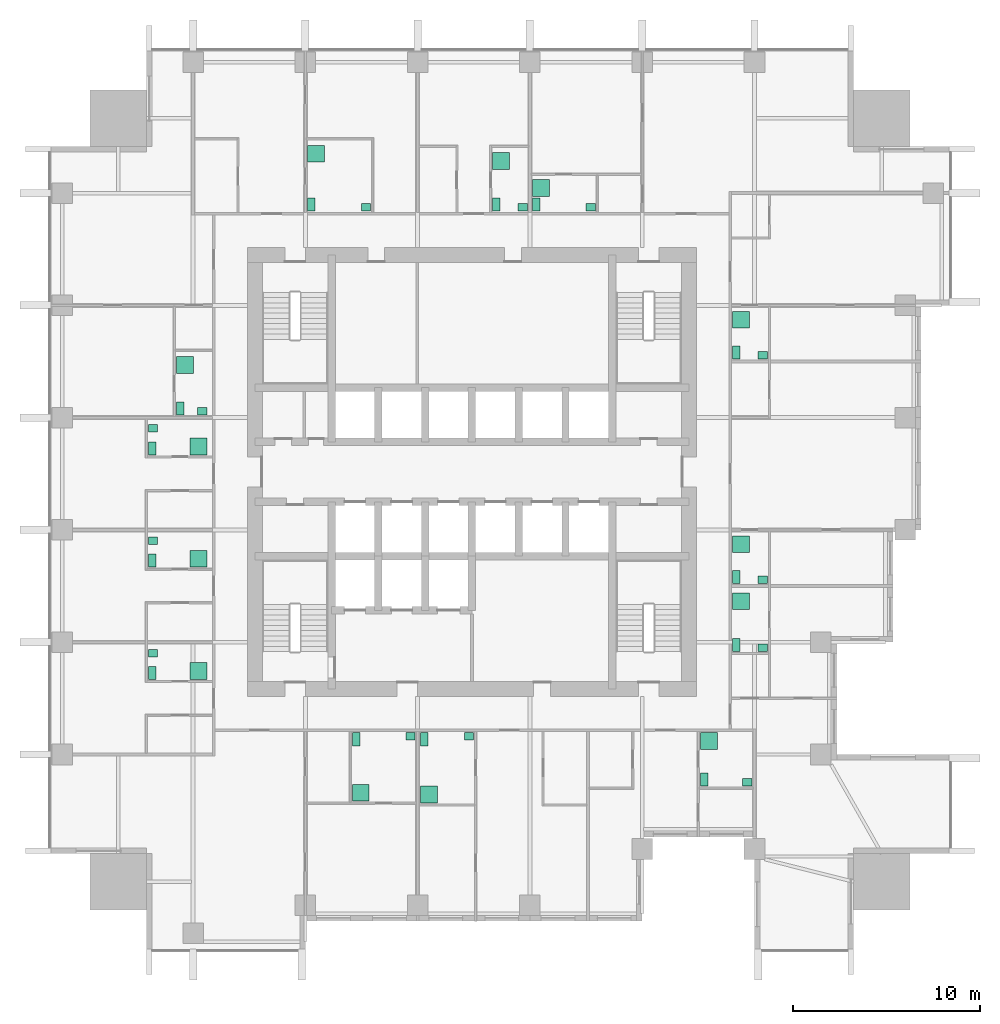
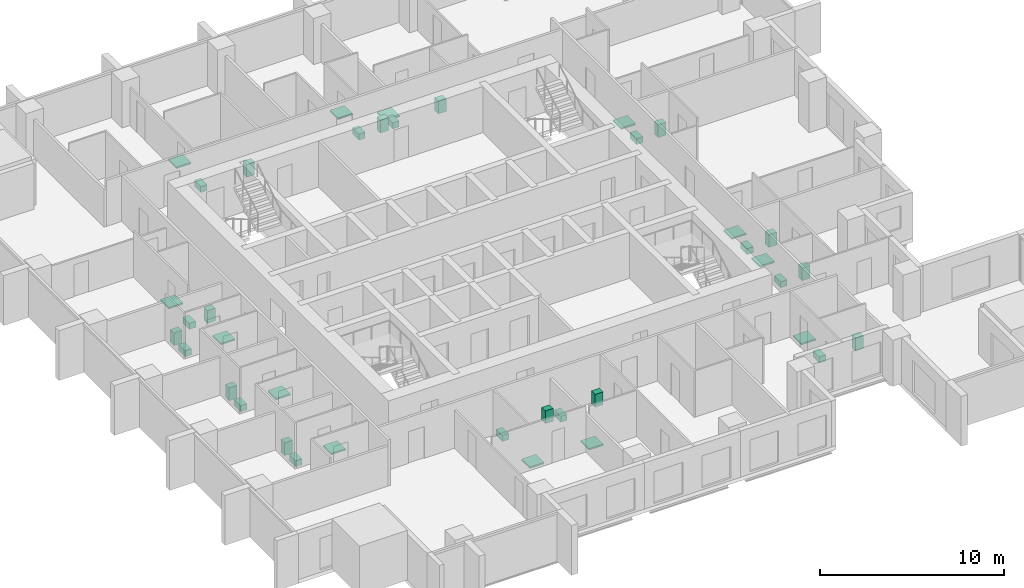
# One storey, part 10 of 10: 39 sanitary terminals.
"""IFC4 building model written with IfcOpenShell, lengths in metres."""

import ifcopenshell
import ifcopenshell.guid

model = None  # the IFC model being written
_history = None  # IfcOwnerHistory: only IFC2X3 demands one
_inside = {}  # id of a spatial element -> (the spatial element, [elements in it])
_under = {}  # id of a project, library or spatial element -> (it, [spatial elements below it])
_declared = {}  # id of a project -> (the project, [libraries it declares])
_typed = {}  # id of a type object -> (the type object, [elements of that type])
_made_of = {}  # id of a material, layer set ... -> (it, [elements and type objects made of it])


def new_model(schema):
    """Start an empty IFC model of exactly this schema.

    Asked for "IFC4X3", IfcOpenShell would pick the latest addendum, in which some entities
    have other attributes; the version numbers below select the first issue.
    IFC2X3 requires an IfcOwnerHistory on every rooted entity: one is made here for all.
    """
    global model, _history
    if schema == "IFC4X3":
        model = ifcopenshell.file(schema_version=(4, 3, 0, 0))
    else:
        model = ifcopenshell.file(schema=schema)
    _inside.clear()
    _under.clear()
    _declared.clear()
    _typed.clear()
    _made_of.clear()
    _history = None
    if model.schema == "IFC2X3":
        org = make("IfcOrganization", Name="unknown")
        user = make(
            "IfcPersonAndOrganization",
            ThePerson=make("IfcPerson", FamilyName="unknown"),
            TheOrganization=org,
        )
        app = make(
            "IfcApplication",
            ApplicationDeveloper=org,
            Version="unknown",
            ApplicationFullName="unknown",
            ApplicationIdentifier="unknown",
        )
        _history = make(
            "IfcOwnerHistory",
            OwningUser=user,
            OwningApplication=app,
            ChangeAction="ADDED",
            CreationDate=0,
        )
    return model


def make(cls, **values):
    """One entity of the class cls with the attributes given. An attribute that is None is left unset."""
    return model.create_entity(
        cls, **{name: value for name, value in values.items() if value is not None}
    )


def rooted(cls, **values):
    """An entity with a GlobalId (a new one), such as an element, a storey or a relation."""
    return make(cls, GlobalId=ifcopenshell.guid.new(), OwnerHistory=_history, **values)


def si_unit(unit_type, name, prefix=None):
    """IfcSIUnit, for example si_unit("LENGTHUNIT", "METRE", prefix="MILLI")."""
    return make("IfcSIUnit", UnitType=unit_type, Prefix=prefix, Name=name)


def assignment(units):
    """IfcUnitAssignment: the units of a project."""
    return None if units is None else make("IfcUnitAssignment", Units=units)


def point(xyz):
    """IfcCartesianPoint."""
    return None if xyz is None else make("IfcCartesianPoint", Coordinates=xyz)


def direction(xyz):
    """IfcDirection."""
    return None if xyz is None else make("IfcDirection", DirectionRatios=xyz)


def frame(location, z_axis=None, x_axis=None):
    """IfcAxis2Placement3D, a coordinate frame: its origin and axes. An axis left out is left unset."""
    return make(
        "IfcAxis2Placement3D",
        Location=point(location),
        Axis=direction(z_axis),
        RefDirection=direction(x_axis),
    )


def frame_2d(location, x_axis=None):
    """IfcAxis2Placement2D, a coordinate frame in the plane: its origin and x axis."""
    return make(
        "IfcAxis2Placement2D", Location=point(location), RefDirection=direction(x_axis)
    )


def origin():
    """The frame at (0, 0, 0) with its axes left unset."""
    return frame((0.0, 0.0, 0.0))


def origin_2d():
    """The frame at (0, 0) in the plane with its x axis left unset."""
    return frame_2d((0.0, 0.0))


def place(relative_to, where):
    """IfcLocalPlacement: puts the frame where relative to a parent placement (None: the world)."""
    return make(
        "IfcLocalPlacement", PlacementRelTo=relative_to, RelativePlacement=where
    )


def context(
    kind, dimensions, precision=None, world=None, true_north=None, identifier=None
):
    """IfcGeometricRepresentationContext, for example the 3D "Model" context."""
    return make(
        "IfcGeometricRepresentationContext",
        ContextIdentifier=identifier,
        ContextType=kind,
        CoordinateSpaceDimension=dimensions,
        Precision=precision,
        WorldCoordinateSystem=world,
        TrueNorth=true_north,
    )


def subcontext(parent, identifier, kind, view, scale=None):
    """IfcGeometricRepresentationSubContext, for example "Body" below "Model"."""
    return make(
        "IfcGeometricRepresentationSubContext",
        ContextIdentifier=identifier,
        ContextType=kind,
        ParentContext=parent,
        TargetScale=scale,
        TargetView=view,
    )


def project(units=None, contexts=None):
    """IfcProject with its units and contexts."""
    return rooted(
        "IfcProject",
        Name="project",
        RepresentationContexts=contexts,
        UnitsInContext=assignment(units),
    )


def spatial(cls, under=None, at=None, **own):
    """A site, building, storey or space (cls), placed at a placement, below another one or the project."""
    s = rooted(cls, ObjectPlacement=at, **own)
    if under is not None:
        _under.setdefault(under.id(), (under, []))[1].append(s)
    return s


def profile(cls, at=None, kind="AREA", **sizes):
    """A parametric profile (cls). Its sizes go by their IFC names, for example OverallWidth=200.0."""
    return make(cls, ProfileType=kind, Position=at, **sizes)


def rectangle(**sizes):
    """IfcRectangleProfileDef."""
    return profile("IfcRectangleProfileDef", **sizes)


def extrude(swept, where, along, depth):
    """IfcExtrudedAreaSolid: the profile swept, set in the frame where, extruded along a direction by depth."""
    return make(
        "IfcExtrudedAreaSolid",
        SweptArea=swept,
        Position=where,
        ExtrudedDirection=direction(along),
        Depth=depth,
    )


def shape(context_of_items, identifier, shape_type, items):
    """IfcShapeRepresentation: the items that make up one representation, for example the "Body"."""
    return make(
        "IfcShapeRepresentation",
        ContextOfItems=context_of_items,
        RepresentationIdentifier=identifier,
        RepresentationType=shape_type,
        Items=items,
    )


def made_of(thing, what):
    """Note that an element or type object is made of a material, layer set ...; save() writes the relation."""
    if what is not None:
        _made_of.setdefault(what.id(), (what, []))[1].append(thing)
    return thing


def element(
    cls,
    number,
    at=None,
    inside=None,
    cuts=None,
    type_object=None,
    material=None,
    context=None,
    identifier="Body",
    shape_type=None,
    held_by="IfcProductDefinitionShape",
    body=None,
    shapes=None,
    **own,
):
    """One element of the class cls, such as IfcWall. Its Tag is "e" and its number.

    at: its placement. inside: the storey or other place that contains it. cuts: it is an
    opening in that element (IfcRelVoidsElement). A single representation is given by context,
    identifier, shape_type and body (its items); several are given by shapes. held_by: the class
    of the entity that holds the representations. save() writes the other relations.
    """
    e = rooted(cls, Tag="e%d" % number, ObjectPlacement=at, **own)
    if body is not None:
        shapes = [shape(context, identifier, shape_type, body)]
    if shapes is not None:
        e.Representation = make(held_by, Representations=shapes)
    if inside is not None:
        _inside.setdefault(inside.id(), (inside, []))[1].append(e)
    if cuts is not None:
        rooted(
            "IfcRelVoidsElement", RelatingBuildingElement=cuts, RelatedOpeningElement=e
        )
    if type_object is not None:
        _typed.setdefault(type_object.id(), (type_object, []))[1].append(e)
    return made_of(e, material)


def aggregate(whole, parts):
    """IfcRelAggregates: a whole, such as a stair, and the parts it consists of."""
    return rooted("IfcRelAggregates", RelatingObject=whole, RelatedObjects=parts)


def save(model, path):
    """Write the relations noted so far, then the file.

    IfcRelAggregates (storeys below a building ...), IfcRelContainedInSpatialStructure (elements
    in a storey), IfcRelDefinesByType, IfcRelAssociatesMaterial and IfcRelDeclares: one each for
    every whole, place, type object, material and project.
    """
    for whole, parts in _under.values():
        aggregate(whole, parts)
    for where, things in _inside.values():
        rooted(
            "IfcRelContainedInSpatialStructure",
            RelatedElements=things,
            RelatingStructure=where,
        )
    for kind, things in _typed.values():
        rooted("IfcRelDefinesByType", RelatedObjects=things, RelatingType=kind)
    for what, things in _made_of.values():
        rooted("IfcRelAssociatesMaterial", RelatedObjects=things, RelatingMaterial=what)
    for by, libraries in _declared.values():
        rooted("IfcRelDeclares", RelatingContext=by, RelatedDefinitions=libraries)
    model.write(path)


model = new_model("IFC4")

# Units and contexts
model_context = context("Model", 3, precision=1e-05, world=origin(), true_north=direction((0.0, 1.0)))
body_context = subcontext(model_context, "Body", "Model", "MODEL_VIEW")
ifc_project = project(units=[si_unit("LENGTHUNIT", "METRE"), si_unit("AREAUNIT", "SQUARE_METRE"), si_unit("VOLUMEUNIT", "CUBIC_METRE"), si_unit("PLANEANGLEUNIT", "RADIAN"), si_unit("MASSUNIT", "GRAM", prefix="KILO")], contexts=[model_context])

# Site, building, storey
site_placement = place(None, origin())
site = spatial("IfcSite", under=ifc_project, at=site_placement, CompositionType="ELEMENT")
building_placement = place(site_placement, origin())
building = spatial("IfcBuilding", under=site, at=building_placement, Name="Amberfall Residences", CompositionType="ELEMENT")
storey_placement = place(building_placement, frame((0.0, 0.0, 105.10009765625)))
storey = spatial("IfcBuildingStorey", under=building, at=storey_placement, Name="L28", CompositionType="ELEMENT", Elevation=105.10009765625)

# Sanitary terminals
sanitary_terminal_1_placement = place(storey_placement, frame((68.31005859375, 31.215087890625, 0.0), z_axis=(0.0, 0.0, 1.0), x_axis=(1.0, 0.0, 0.0)))
element("IfcSanitaryTerminal", 1, at=sanitary_terminal_1_placement, inside=storey, Name="Water closet 2801", PredefinedType="TOILETPAN", context=body_context, shape_type="SweptSolid", body=[
    extrude(rectangle(XDim=0.39990234375, YDim=0.699951171875, at=origin_2d()), origin(), (0.0, 0.0, 1.0), 0.39990234375),
])
sanitary_terminal_2_placement = place(storey_placement, frame((71.215087890625, 31.364990234375, -0.000244140625), z_axis=(0.0, 0.0, 1.0), x_axis=(1.0, 0.0, 0.0)))
element("IfcSanitaryTerminal", 2, at=sanitary_terminal_2_placement, inside=storey, Name="Basin 2801", PredefinedType="WASHHANDBASIN", context=body_context, shape_type="SweptSolid", body=[
    extrude(rectangle(XDim=0.5, YDim=0.39990234375, at=origin_2d()), origin(), (0.0, 0.0, 1.0), 0.85009765625),
])
sanitary_terminal_3_placement = place(storey_placement, frame((68.56005859375, 28.360107421875, -0.000244140625), z_axis=(0.0, 0.0, 1.0), x_axis=(1.0, 0.0, 0.0)))
element("IfcSanitaryTerminal", 3, at=sanitary_terminal_3_placement, inside=storey, Name="Shower tray 2801", PredefinedType="SHOWER", context=body_context, shape_type="SweptSolid", body=[
    extrude(rectangle(XDim=0.89990234375, YDim=0.89990234375, at=origin_2d()), origin(), (0.0, 0.0, 1.0), 0.10009765625),
])
sanitary_terminal_4_placement = place(storey_placement, frame((71.9599609375, 31.215087890625, 0.0), z_axis=(0.0, 0.0, 1.0), x_axis=(1.0, 0.0, 0.0)))
element("IfcSanitaryTerminal", 4, at=sanitary_terminal_4_placement, inside=storey, Name="Water closet 2802", PredefinedType="TOILETPAN", context=body_context, shape_type="SweptSolid", body=[
    extrude(rectangle(XDim=0.39990234375, YDim=0.699951171875, at=origin_2d()), origin(), (0.0, 0.0, 1.0), 0.39990234375),
])
sanitary_terminal_5_placement = place(storey_placement, frame((74.340087890625, 31.364990234375, -0.000244140625), z_axis=(0.0, 0.0, 1.0), x_axis=(1.0, 0.0, 0.0)))
element("IfcSanitaryTerminal", 5, at=sanitary_terminal_5_placement, inside=storey, Name="Basin 2802", PredefinedType="WASHHANDBASIN", context=body_context, shape_type="SweptSolid", body=[
    extrude(rectangle(XDim=0.5, YDim=0.39990234375, at=origin_2d()), origin(), (0.0, 0.0, 1.0), 0.85009765625),
])
sanitary_terminal_6_placement = place(storey_placement, frame((72.2099609375, 28.260009765625, -0.000244140625), z_axis=(0.0, 0.0, 1.0), x_axis=(1.0, 0.0, 0.0)))
element("IfcSanitaryTerminal", 6, at=sanitary_terminal_6_placement, inside=storey, Name="Shower tray 2802", PredefinedType="SHOWER", context=body_context, shape_type="SweptSolid", body=[
    extrude(rectangle(XDim=0.89990234375, YDim=0.89990234375, at=origin_2d()), origin(), (0.0, 0.0, 1.0), 0.10009765625),
])
sanitary_terminal_7_placement = place(storey_placement, frame((86.909912109375, 29.06005859375, 0.0), z_axis=(0.0, 0.0, 1.0), x_axis=(1.0, 0.0, 0.0)))
element("IfcSanitaryTerminal", 7, at=sanitary_terminal_7_placement, inside=storey, Name="Water closet 2803", PredefinedType="TOILETPAN", context=body_context, shape_type="SweptSolid", body=[
    extrude(rectangle(XDim=0.39990234375, YDim=0.699951171875, at=origin_2d()), origin(), (0.0, 0.0, 1.0), 0.39990234375),
])
sanitary_terminal_8_placement = place(storey_placement, frame((89.215087890625, 28.909912109375, -0.000244140625), z_axis=(0.0, 0.0, 1.0), x_axis=(1.0, 0.0, 0.0)))
element("IfcSanitaryTerminal", 8, at=sanitary_terminal_8_placement, inside=storey, Name="Basin 2803", PredefinedType="WASHHANDBASIN", context=body_context, shape_type="SweptSolid", body=[
    extrude(rectangle(XDim=0.5, YDim=0.39990234375, at=origin_2d()), origin(), (0.0, 0.0, 1.0), 0.85009765625),
])
sanitary_terminal_9_placement = place(storey_placement, frame((87.159912109375, 31.114990234375, -0.000244140625), z_axis=(0.0, 0.0, 1.0), x_axis=(1.0, 0.0, 0.0)))
element("IfcSanitaryTerminal", 9, at=sanitary_terminal_9_placement, inside=storey, Name="Shower tray 2803", PredefinedType="SHOWER", context=body_context, shape_type="SweptSolid", body=[
    extrude(rectangle(XDim=0.89990234375, YDim=0.89990234375, at=origin_2d()), origin(), (0.0, 0.0, 1.0), 0.10009765625),
])
sanitary_terminal_10_placement = place(storey_placement, frame((88.635009765625, 36.260009765625, 0.0), z_axis=(0.0, 0.0, 1.0), x_axis=(1.0, 0.0, 0.0)))
element("IfcSanitaryTerminal", 10, at=sanitary_terminal_10_placement, inside=storey, Name="Water closet 2804", PredefinedType="TOILETPAN", context=body_context, shape_type="SweptSolid", body=[
    extrude(rectangle(XDim=0.39990234375, YDim=0.699951171875, at=origin_2d()), origin(), (0.0, 0.0, 1.0), 0.39990234375),
])
sanitary_terminal_11_placement = place(storey_placement, frame((90.0400390625, 36.110107421875, -0.000244140625), z_axis=(0.0, 0.0, 1.0), x_axis=(1.0, 0.0, 0.0)))
element("IfcSanitaryTerminal", 11, at=sanitary_terminal_11_placement, inside=storey, Name="Basin 2804", PredefinedType="WASHHANDBASIN", context=body_context, shape_type="SweptSolid", body=[
    extrude(rectangle(XDim=0.5, YDim=0.39990234375, at=origin_2d()), origin(), (0.0, 0.0, 1.0), 0.85009765625),
])
sanitary_terminal_12_placement = place(storey_placement, frame((88.885009765625, 38.591796875, -0.000244140625), z_axis=(0.0, 0.0, 1.0), x_axis=(1.0, 0.0, 0.0)))
element("IfcSanitaryTerminal", 12, at=sanitary_terminal_12_placement, inside=storey, Name="Shower tray 2804", PredefinedType="SHOWER", context=body_context, shape_type="SweptSolid", body=[
    extrude(rectangle(XDim=0.89990234375, YDim=0.89990234375, at=origin_2d()), origin(), (0.0, 0.0, 1.0), 0.10009765625),
])
sanitary_terminal_13_placement = place(storey_placement, frame((88.635009765625, 39.885009765625, 0.0), z_axis=(0.0, 0.0, 1.0), x_axis=(1.0, 0.0, 0.0)))
element("IfcSanitaryTerminal", 13, at=sanitary_terminal_13_placement, inside=storey, Name="Water closet 2805", PredefinedType="TOILETPAN", context=body_context, shape_type="SweptSolid", body=[
    extrude(rectangle(XDim=0.39990234375, YDim=0.699951171875, at=origin_2d()), origin(), (0.0, 0.0, 1.0), 0.39990234375),
])
sanitary_terminal_14_placement = place(storey_placement, frame((90.0400390625, 39.735107421875, -0.000244140625), z_axis=(0.0, 0.0, 1.0), x_axis=(1.0, 0.0, 0.0)))
element("IfcSanitaryTerminal", 14, at=sanitary_terminal_14_placement, inside=storey, Name="Basin 2805", PredefinedType="WASHHANDBASIN", context=body_context, shape_type="SweptSolid", body=[
    extrude(rectangle(XDim=0.5, YDim=0.39990234375, at=origin_2d()), origin(), (0.0, 0.0, 1.0), 0.85009765625),
])
sanitary_terminal_15_placement = place(storey_placement, frame((88.885009765625, 41.6337890625, -0.000244140625), z_axis=(0.0, 0.0, 1.0), x_axis=(1.0, 0.0, 0.0)))
element("IfcSanitaryTerminal", 15, at=sanitary_terminal_15_placement, inside=storey, Name="Shower tray 2805", PredefinedType="SHOWER", context=body_context, shape_type="SweptSolid", body=[
    extrude(rectangle(XDim=0.89990234375, YDim=0.89990234375, at=origin_2d()), origin(), (0.0, 0.0, 1.0), 0.10009765625),
])
sanitary_terminal_16_placement = place(storey_placement, frame((88.635009765625, 51.885009765625, 0.0), z_axis=(0.0, 0.0, 1.0), x_axis=(1.0, 0.0, 0.0)))
element("IfcSanitaryTerminal", 16, at=sanitary_terminal_16_placement, inside=storey, Name="Water closet 2806", PredefinedType="TOILETPAN", context=body_context, shape_type="SweptSolid", body=[
    extrude(rectangle(XDim=0.39990234375, YDim=0.699951171875, at=origin_2d()), origin(), (0.0, 0.0, 1.0), 0.39990234375),
])
sanitary_terminal_17_placement = place(storey_placement, frame((90.0400390625, 51.735107421875, -0.000244140625), z_axis=(0.0, 0.0, 1.0), x_axis=(1.0, 0.0, 0.0)))
element("IfcSanitaryTerminal", 17, at=sanitary_terminal_17_placement, inside=storey, Name="Basin 2806", PredefinedType="WASHHANDBASIN", context=body_context, shape_type="SweptSolid", body=[
    extrude(rectangle(XDim=0.5, YDim=0.39990234375, at=origin_2d()), origin(), (0.0, 0.0, 1.0), 0.85009765625),
])
sanitary_terminal_18_placement = place(storey_placement, frame((88.885009765625, 53.6337890625, -0.000244140625), z_axis=(0.0, 0.0, 1.0), x_axis=(1.0, 0.0, 0.0)))
element("IfcSanitaryTerminal", 18, at=sanitary_terminal_18_placement, inside=storey, Name="Shower tray 2806", PredefinedType="SHOWER", context=body_context, shape_type="SweptSolid", body=[
    extrude(rectangle(XDim=0.89990234375, YDim=0.89990234375, at=origin_2d()), origin(), (0.0, 0.0, 1.0), 0.10009765625),
])
sanitary_terminal_19_placement = place(storey_placement, frame((65.909912109375, 59.784912109375, 0.0), z_axis=(0.0, 0.0, 1.0), x_axis=(1.0, 0.0, 0.0)))
element("IfcSanitaryTerminal", 19, at=sanitary_terminal_19_placement, inside=storey, Name="Water closet 2807", PredefinedType="TOILETPAN", context=body_context, shape_type="SweptSolid", body=[
    extrude(rectangle(XDim=0.39990234375, YDim=0.699951171875, at=origin_2d()), origin(), (0.0, 0.0, 1.0), 0.39990234375),
])
sanitary_terminal_20_placement = place(storey_placement, frame((68.840087890625, 59.635009765625, -0.000244140625), z_axis=(0.0, 0.0, 1.0), x_axis=(1.0, 0.0, 0.0)))
element("IfcSanitaryTerminal", 20, at=sanitary_terminal_20_placement, inside=storey, Name="Basin 2807", PredefinedType="WASHHANDBASIN", context=body_context, shape_type="SweptSolid", body=[
    extrude(rectangle(XDim=0.5, YDim=0.39990234375, at=origin_2d()), origin(), (0.0, 0.0, 1.0), 0.85009765625),
])
sanitary_terminal_21_placement = place(storey_placement, frame((66.159912109375, 62.502197265625, -0.000244140625), z_axis=(0.0, 0.0, 1.0), x_axis=(1.0, 0.0, 0.0)))
element("IfcSanitaryTerminal", 21, at=sanitary_terminal_21_placement, inside=storey, Name="Shower tray 2807", PredefinedType="SHOWER", context=body_context, shape_type="SweptSolid", body=[
    extrude(rectangle(XDim=0.89990234375, YDim=0.89990234375, at=origin_2d()), origin(), (0.0, 0.0, 1.0), 0.10009765625),
])
sanitary_terminal_22_placement = place(storey_placement, frame((75.81005859375, 59.784912109375, 0.0), z_axis=(0.0, 0.0, 1.0), x_axis=(1.0, 0.0, 0.0)))
element("IfcSanitaryTerminal", 22, at=sanitary_terminal_22_placement, inside=storey, Name="Water closet 2808", PredefinedType="TOILETPAN", context=body_context, shape_type="SweptSolid", body=[
    extrude(rectangle(XDim=0.39990234375, YDim=0.699951171875, at=origin_2d()), origin(), (0.0, 0.0, 1.0), 0.39990234375),
])
sanitary_terminal_23_placement = place(storey_placement, frame((77.215087890625, 59.635009765625, -0.000244140625), z_axis=(0.0, 0.0, 1.0), x_axis=(1.0, 0.0, 0.0)))
element("IfcSanitaryTerminal", 23, at=sanitary_terminal_23_placement, inside=storey, Name="Basin 2808", PredefinedType="WASHHANDBASIN", context=body_context, shape_type="SweptSolid", body=[
    extrude(rectangle(XDim=0.5, YDim=0.39990234375, at=origin_2d()), origin(), (0.0, 0.0, 1.0), 0.85009765625),
])
sanitary_terminal_24_placement = place(storey_placement, frame((76.06005859375, 62.11669921875, -0.000244140625), z_axis=(0.0, 0.0, 1.0), x_axis=(1.0, 0.0, 0.0)))
element("IfcSanitaryTerminal", 24, at=sanitary_terminal_24_placement, inside=storey, Name="Shower tray 2808", PredefinedType="SHOWER", context=body_context, shape_type="SweptSolid", body=[
    extrude(rectangle(XDim=0.89990234375, YDim=0.89990234375, at=origin_2d()), origin(), (0.0, 0.0, 1.0), 0.10009765625),
])
sanitary_terminal_25_placement = place(storey_placement, frame((77.93505859375, 59.784912109375, 0.0), z_axis=(0.0, 0.0, 1.0), x_axis=(1.0, 0.0, 0.0)))
element("IfcSanitaryTerminal", 25, at=sanitary_terminal_25_placement, inside=storey, Name="Water closet 2809", PredefinedType="TOILETPAN", context=body_context, shape_type="SweptSolid", body=[
    extrude(rectangle(XDim=0.39990234375, YDim=0.699951171875, at=origin_2d()), origin(), (0.0, 0.0, 1.0), 0.39990234375),
])
sanitary_terminal_26_placement = place(storey_placement, frame((80.840087890625, 59.635009765625, -0.000244140625), z_axis=(0.0, 0.0, 1.0), x_axis=(1.0, 0.0, 0.0)))
element("IfcSanitaryTerminal", 26, at=sanitary_terminal_26_placement, inside=storey, Name="Basin 2809", PredefinedType="WASHHANDBASIN", context=body_context, shape_type="SweptSolid", body=[
    extrude(rectangle(XDim=0.5, YDim=0.39990234375, at=origin_2d()), origin(), (0.0, 0.0, 1.0), 0.85009765625),
])
sanitary_terminal_27_placement = place(storey_placement, frame((78.18505859375, 60.680908203125, -0.000244140625), z_axis=(0.0, 0.0, 1.0), x_axis=(1.0, 0.0, 0.0)))
element("IfcSanitaryTerminal", 27, at=sanitary_terminal_27_placement, inside=storey, Name="Shower tray 2809", PredefinedType="SHOWER", context=body_context, shape_type="SweptSolid", body=[
    extrude(rectangle(XDim=0.89990234375, YDim=0.89990234375, at=origin_2d()), origin(), (0.0, 0.0, 1.0), 0.10009765625),
])
sanitary_terminal_28_placement = place(storey_placement, frame((57.409912109375, 34.760009765625, 0.0), z_axis=(0.0, 0.0, 1.0), x_axis=(1.0, 0.0, 0.0)))
element("IfcSanitaryTerminal", 28, at=sanitary_terminal_28_placement, inside=storey, Name="Water closet 2810", PredefinedType="TOILETPAN", context=body_context, shape_type="SweptSolid", body=[
    extrude(rectangle(XDim=0.39990234375, YDim=0.699951171875, at=origin_2d()), origin(), (0.0, 0.0, 1.0), 0.39990234375),
])
sanitary_terminal_29_placement = place(storey_placement, frame((57.4599609375, 35.822509765625, -0.000244140625), z_axis=(0.0, 0.0, 1.0), x_axis=(1.0, 0.0, 0.0)))
element("IfcSanitaryTerminal", 29, at=sanitary_terminal_29_placement, inside=storey, Name="Basin 2810", PredefinedType="WASHHANDBASIN", context=body_context, shape_type="SweptSolid", body=[
    extrude(rectangle(XDim=0.5, YDim=0.39990234375, at=origin_2d()), origin(), (0.0, 0.0, 1.0), 0.85009765625),
])
sanitary_terminal_30_placement = place(storey_placement, frame((59.891845703125, 34.860107421875, -0.000244140625), z_axis=(0.0, 0.0, 1.0), x_axis=(1.0, 0.0, 0.0)))
element("IfcSanitaryTerminal", 30, at=sanitary_terminal_30_placement, inside=storey, Name="Shower tray 2810", PredefinedType="SHOWER", context=body_context, shape_type="SweptSolid", body=[
    extrude(rectangle(XDim=0.89990234375, YDim=0.89990234375, at=origin_2d()), origin(), (0.0, 0.0, 1.0), 0.10009765625),
])
sanitary_terminal_31_placement = place(storey_placement, frame((57.409912109375, 40.760009765625, 0.0), z_axis=(0.0, 0.0, 1.0), x_axis=(1.0, 0.0, 0.0)))
element("IfcSanitaryTerminal", 31, at=sanitary_terminal_31_placement, inside=storey, Name="Water closet 2811", PredefinedType="TOILETPAN", context=body_context, shape_type="SweptSolid", body=[
    extrude(rectangle(XDim=0.39990234375, YDim=0.699951171875, at=origin_2d()), origin(), (0.0, 0.0, 1.0), 0.39990234375),
])
sanitary_terminal_32_placement = place(storey_placement, frame((57.4599609375, 41.822509765625, -0.000244140625), z_axis=(0.0, 0.0, 1.0), x_axis=(1.0, 0.0, 0.0)))
element("IfcSanitaryTerminal", 32, at=sanitary_terminal_32_placement, inside=storey, Name="Basin 2811", PredefinedType="WASHHANDBASIN", context=body_context, shape_type="SweptSolid", body=[
    extrude(rectangle(XDim=0.5, YDim=0.39990234375, at=origin_2d()), origin(), (0.0, 0.0, 1.0), 0.85009765625),
])
sanitary_terminal_33_placement = place(storey_placement, frame((59.891845703125, 40.860107421875, -0.000244140625), z_axis=(0.0, 0.0, 1.0), x_axis=(1.0, 0.0, 0.0)))
element("IfcSanitaryTerminal", 33, at=sanitary_terminal_33_placement, inside=storey, Name="Shower tray 2811", PredefinedType="SHOWER", context=body_context, shape_type="SweptSolid", body=[
    extrude(rectangle(XDim=0.89990234375, YDim=0.89990234375, at=origin_2d()), origin(), (0.0, 0.0, 1.0), 0.10009765625),
])
sanitary_terminal_34_placement = place(storey_placement, frame((57.409912109375, 46.760009765625, 0.0), z_axis=(0.0, 0.0, 1.0), x_axis=(1.0, 0.0, 0.0)))
element("IfcSanitaryTerminal", 34, at=sanitary_terminal_34_placement, inside=storey, Name="Water closet 2812", PredefinedType="TOILETPAN", context=body_context, shape_type="SweptSolid", body=[
    extrude(rectangle(XDim=0.39990234375, YDim=0.699951171875, at=origin_2d()), origin(), (0.0, 0.0, 1.0), 0.39990234375),
])
sanitary_terminal_35_placement = place(storey_placement, frame((57.4599609375, 47.822509765625, -0.000244140625), z_axis=(0.0, 0.0, 1.0), x_axis=(1.0, 0.0, 0.0)))
element("IfcSanitaryTerminal", 35, at=sanitary_terminal_35_placement, inside=storey, Name="Basin 2812", PredefinedType="WASHHANDBASIN", context=body_context, shape_type="SweptSolid", body=[
    extrude(rectangle(XDim=0.5, YDim=0.39990234375, at=origin_2d()), origin(), (0.0, 0.0, 1.0), 0.85009765625),
])
sanitary_terminal_36_placement = place(storey_placement, frame((59.891845703125, 46.860107421875, -0.000244140625), z_axis=(0.0, 0.0, 1.0), x_axis=(1.0, 0.0, 0.0)))
element("IfcSanitaryTerminal", 36, at=sanitary_terminal_36_placement, inside=storey, Name="Shower tray 2812", PredefinedType="SHOWER", context=body_context, shape_type="SweptSolid", body=[
    extrude(rectangle(XDim=0.89990234375, YDim=0.89990234375, at=origin_2d()), origin(), (0.0, 0.0, 1.0), 0.10009765625),
])
sanitary_terminal_37_placement = place(storey_placement, frame((58.909912109375, 48.885009765625, 0.0), z_axis=(0.0, 0.0, 1.0), x_axis=(1.0, 0.0, 0.0)))
element("IfcSanitaryTerminal", 37, at=sanitary_terminal_37_placement, inside=storey, Name="Water closet 2813", PredefinedType="TOILETPAN", context=body_context, shape_type="SweptSolid", body=[
    extrude(rectangle(XDim=0.39990234375, YDim=0.699951171875, at=origin_2d()), origin(), (0.0, 0.0, 1.0), 0.39990234375),
])
sanitary_terminal_38_placement = place(storey_placement, frame((60.089111328125, 48.735107421875, -0.000244140625), z_axis=(0.0, 0.0, 1.0), x_axis=(1.0, 0.0, 0.0)))
element("IfcSanitaryTerminal", 38, at=sanitary_terminal_38_placement, inside=storey, Name="Basin 2813", PredefinedType="WASHHANDBASIN", context=body_context, shape_type="SweptSolid", body=[
    extrude(rectangle(XDim=0.5, YDim=0.39990234375, at=origin_2d()), origin(), (0.0, 0.0, 1.0), 0.85009765625),
])
sanitary_terminal_39_placement = place(storey_placement, frame((59.159912109375, 51.216796875, -0.000244140625), z_axis=(0.0, 0.0, 1.0), x_axis=(1.0, 0.0, 0.0)))
element("IfcSanitaryTerminal", 39, at=sanitary_terminal_39_placement, inside=storey, Name="Shower tray 2813", PredefinedType="SHOWER", context=body_context, shape_type="SweptSolid", body=[
    extrude(rectangle(XDim=0.89990234375, YDim=0.89990234375, at=origin_2d()), origin(), (0.0, 0.0, 1.0), 0.10009765625),
])

save(model, "model.ifc")
